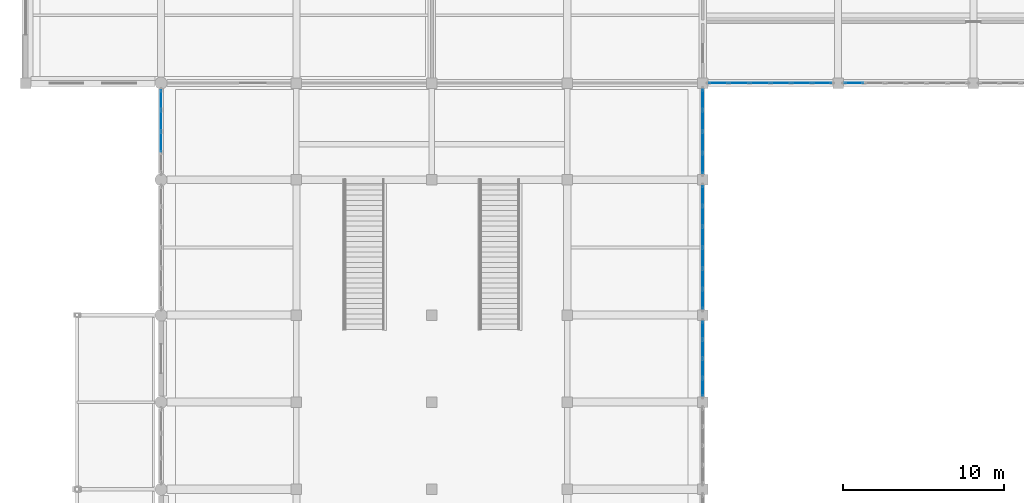
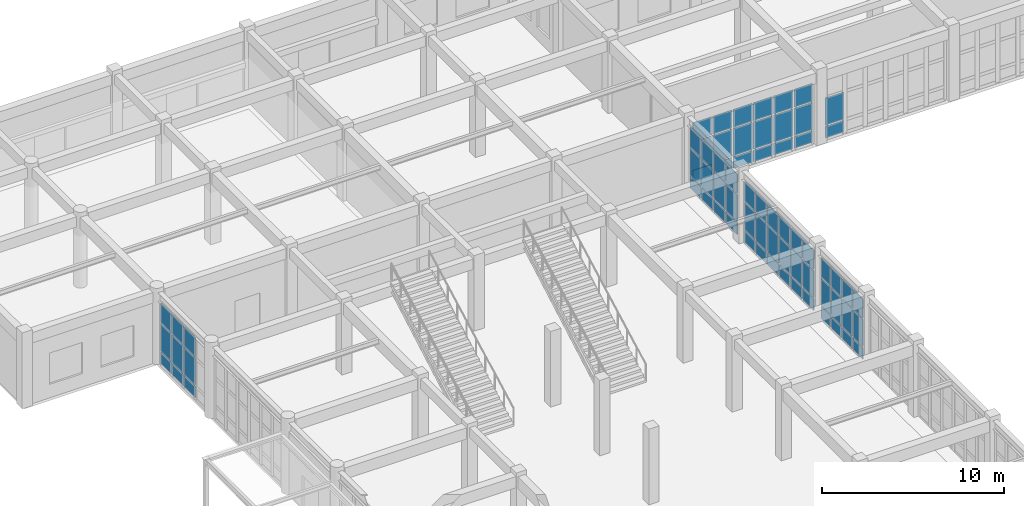
# One storey, part 46 of 80: 71 plates, 6 elements without a shape of their own.
"""IFC4 building model written with IfcOpenShell, lengths in metres."""

import ifcopenshell
import ifcopenshell.guid

model = None  # the IFC model being written
_history = None  # IfcOwnerHistory: only IFC2X3 demands one
_inside = {}  # id of a spatial element -> (the spatial element, [elements in it])
_under = {}  # id of a project, library or spatial element -> (it, [spatial elements below it])
_declared = {}  # id of a project -> (the project, [libraries it declares])
_typed = {}  # id of a type object -> (the type object, [elements of that type])
_made_of = {}  # id of a material, layer set ... -> (it, [elements and type objects made of it])


def new_model(schema):
    """Start an empty IFC model of exactly this schema.

    Asked for "IFC4X3", IfcOpenShell would pick the latest addendum, in which some entities
    have other attributes; the version numbers below select the first issue.
    IFC2X3 requires an IfcOwnerHistory on every rooted entity: one is made here for all.
    """
    global model, _history
    if schema == "IFC4X3":
        model = ifcopenshell.file(schema_version=(4, 3, 0, 0))
    else:
        model = ifcopenshell.file(schema=schema)
    _inside.clear()
    _under.clear()
    _declared.clear()
    _typed.clear()
    _made_of.clear()
    _history = None
    if model.schema == "IFC2X3":
        org = make("IfcOrganization", Name="unknown")
        user = make(
            "IfcPersonAndOrganization",
            ThePerson=make("IfcPerson", FamilyName="unknown"),
            TheOrganization=org,
        )
        app = make(
            "IfcApplication",
            ApplicationDeveloper=org,
            Version="unknown",
            ApplicationFullName="unknown",
            ApplicationIdentifier="unknown",
        )
        _history = make(
            "IfcOwnerHistory",
            OwningUser=user,
            OwningApplication=app,
            ChangeAction="ADDED",
            CreationDate=0,
        )
    return model


def make(cls, **values):
    """One entity of the class cls with the attributes given. An attribute that is None is left unset."""
    return model.create_entity(
        cls, **{name: value for name, value in values.items() if value is not None}
    )


def rooted(cls, **values):
    """An entity with a GlobalId (a new one), such as an element, a storey or a relation."""
    return make(cls, GlobalId=ifcopenshell.guid.new(), OwnerHistory=_history, **values)


def si_unit(unit_type, name, prefix=None):
    """IfcSIUnit, for example si_unit("LENGTHUNIT", "METRE", prefix="MILLI")."""
    return make("IfcSIUnit", UnitType=unit_type, Prefix=prefix, Name=name)


def assignment(units):
    """IfcUnitAssignment: the units of a project."""
    return None if units is None else make("IfcUnitAssignment", Units=units)


def point(xyz):
    """IfcCartesianPoint."""
    return None if xyz is None else make("IfcCartesianPoint", Coordinates=xyz)


def direction(xyz):
    """IfcDirection."""
    return None if xyz is None else make("IfcDirection", DirectionRatios=xyz)


def frame(location, z_axis=None, x_axis=None):
    """IfcAxis2Placement3D, a coordinate frame: its origin and axes. An axis left out is left unset."""
    return make(
        "IfcAxis2Placement3D",
        Location=point(location),
        Axis=direction(z_axis),
        RefDirection=direction(x_axis),
    )


def frame_2d(location, x_axis=None):
    """IfcAxis2Placement2D, a coordinate frame in the plane: its origin and x axis."""
    return make(
        "IfcAxis2Placement2D", Location=point(location), RefDirection=direction(x_axis)
    )


def origin():
    """The frame at (0, 0, 0) with its axes left unset."""
    return frame((0.0, 0.0, 0.0))


def origin_2d():
    """The frame at (0, 0) in the plane with its x axis left unset."""
    return frame_2d((0.0, 0.0))


def place(relative_to, where):
    """IfcLocalPlacement: puts the frame where relative to a parent placement (None: the world)."""
    return make(
        "IfcLocalPlacement", PlacementRelTo=relative_to, RelativePlacement=where
    )


def context(
    kind, dimensions, precision=None, world=None, true_north=None, identifier=None
):
    """IfcGeometricRepresentationContext, for example the 3D "Model" context."""
    return make(
        "IfcGeometricRepresentationContext",
        ContextIdentifier=identifier,
        ContextType=kind,
        CoordinateSpaceDimension=dimensions,
        Precision=precision,
        WorldCoordinateSystem=world,
        TrueNorth=true_north,
    )


def subcontext(parent, identifier, kind, view, scale=None):
    """IfcGeometricRepresentationSubContext, for example "Body" below "Model"."""
    return make(
        "IfcGeometricRepresentationSubContext",
        ContextIdentifier=identifier,
        ContextType=kind,
        ParentContext=parent,
        TargetScale=scale,
        TargetView=view,
    )


def project(units=None, contexts=None):
    """IfcProject with its units and contexts."""
    return rooted(
        "IfcProject",
        Name="project",
        RepresentationContexts=contexts,
        UnitsInContext=assignment(units),
    )


def spatial(cls, under=None, at=None, **own):
    """A site, building, storey or space (cls), placed at a placement, below another one or the project."""
    s = rooted(cls, ObjectPlacement=at, **own)
    if under is not None:
        _under.setdefault(under.id(), (under, []))[1].append(s)
    return s


def profile(cls, at=None, kind="AREA", **sizes):
    """A parametric profile (cls). Its sizes go by their IFC names, for example OverallWidth=200.0."""
    return make(cls, ProfileType=kind, Position=at, **sizes)


def rectangle(**sizes):
    """IfcRectangleProfileDef."""
    return profile("IfcRectangleProfileDef", **sizes)


def extrude(swept, where, along, depth):
    """IfcExtrudedAreaSolid: the profile swept, set in the frame where, extruded along a direction by depth."""
    return make(
        "IfcExtrudedAreaSolid",
        SweptArea=swept,
        Position=where,
        ExtrudedDirection=direction(along),
        Depth=depth,
    )


def shape(context_of_items, identifier, shape_type, items):
    """IfcShapeRepresentation: the items that make up one representation, for example the "Body"."""
    return make(
        "IfcShapeRepresentation",
        ContextOfItems=context_of_items,
        RepresentationIdentifier=identifier,
        RepresentationType=shape_type,
        Items=items,
    )


def material(Name=None, Category=None):
    """IfcMaterial."""
    return make("IfcMaterial", Name=Name, Category=Category)


def layer(
    of_material, thickness, ventilated=None, Name=None, Category=None, Priority=None
):
    """IfcMaterialLayer: one layer of a wall or slab, of a material (None: an air gap)."""
    return make(
        "IfcMaterialLayer",
        Material=of_material,
        LayerThickness=thickness,
        IsVentilated=ventilated,
        Name=Name,
        Category=Category,
        Priority=Priority,
    )


def layer_set(layers, Name=None):
    """IfcMaterialLayerSet."""
    return make("IfcMaterialLayerSet", MaterialLayers=layers, LayerSetName=Name)


def made_of(thing, what):
    """Note that an element or type object is made of a material, layer set ...; save() writes the relation."""
    if what is not None:
        _made_of.setdefault(what.id(), (what, []))[1].append(thing)
    return thing


def type_object(cls, material=None, **own):
    """A type object (cls), such as IfcWallType, which elements share."""
    return made_of(rooted(cls, **own), material)


def element(
    cls,
    number,
    at=None,
    inside=None,
    cuts=None,
    type_object=None,
    material=None,
    context=None,
    identifier="Body",
    shape_type=None,
    held_by="IfcProductDefinitionShape",
    body=None,
    shapes=None,
    **own,
):
    """One element of the class cls, such as IfcWall. Its Tag is "e" and its number.

    at: its placement. inside: the storey or other place that contains it. cuts: it is an
    opening in that element (IfcRelVoidsElement). A single representation is given by context,
    identifier, shape_type and body (its items); several are given by shapes. held_by: the class
    of the entity that holds the representations. save() writes the other relations.
    """
    e = rooted(cls, Tag="e%d" % number, ObjectPlacement=at, **own)
    if body is not None:
        shapes = [shape(context, identifier, shape_type, body)]
    if shapes is not None:
        e.Representation = make(held_by, Representations=shapes)
    if inside is not None:
        _inside.setdefault(inside.id(), (inside, []))[1].append(e)
    if cuts is not None:
        rooted(
            "IfcRelVoidsElement", RelatingBuildingElement=cuts, RelatedOpeningElement=e
        )
    if type_object is not None:
        _typed.setdefault(type_object.id(), (type_object, []))[1].append(e)
    return made_of(e, material)


def aggregate(whole, parts):
    """IfcRelAggregates: a whole, such as a stair, and the parts it consists of."""
    return rooted("IfcRelAggregates", RelatingObject=whole, RelatedObjects=parts)


def save(model, path):
    """Write the relations noted so far, then the file.

    IfcRelAggregates (storeys below a building ...), IfcRelContainedInSpatialStructure (elements
    in a storey), IfcRelDefinesByType, IfcRelAssociatesMaterial and IfcRelDeclares: one each for
    every whole, place, type object, material and project.
    """
    for whole, parts in _under.values():
        aggregate(whole, parts)
    for where, things in _inside.values():
        rooted(
            "IfcRelContainedInSpatialStructure",
            RelatedElements=things,
            RelatingStructure=where,
        )
    for kind, things in _typed.values():
        rooted("IfcRelDefinesByType", RelatedObjects=things, RelatingType=kind)
    for what, things in _made_of.values():
        rooted("IfcRelAssociatesMaterial", RelatedObjects=things, RelatingMaterial=what)
    for by, libraries in _declared.values():
        rooted("IfcRelDeclares", RelatingContext=by, RelatedDefinitions=libraries)
    model.write(path)


model = new_model("IFC4")

# Units and contexts
model_context = context("Model", 3, precision=1e-05, world=origin(), true_north=direction((0.0, 1.0)))
body_context = subcontext(model_context, "Body", "Model", "MODEL_VIEW")
ifc_project = project(units=[si_unit("LENGTHUNIT", "METRE"), si_unit("AREAUNIT", "SQUARE_METRE"), si_unit("VOLUMEUNIT", "CUBIC_METRE"), si_unit("PLANEANGLEUNIT", "RADIAN"), si_unit("MASSUNIT", "GRAM", prefix="KILO")], contexts=[model_context])

# Site, building, storey
site_placement = place(None, origin())
site = spatial("IfcSite", under=ifc_project, at=site_placement, CompositionType="ELEMENT")
building_placement = place(site_placement, origin())
building = spatial("IfcBuilding", under=site, at=building_placement, Name="Krzemoval Escarpment Law Courts", CompositionType="ELEMENT")
storey_placement = place(building_placement, origin())
storey = spatial("IfcBuildingStorey", under=building, at=storey_placement, Name="L00", CompositionType="ELEMENT", Elevation=0.0)

# Curtain wall, plates
ifc_material_1 = material(Name="Aluminium 6063-T6", Category="aluminium")
ifc_layer_1 = layer(ifc_material_1, 0.280029296875)
ifc_layer_set_1 = layer_set([ifc_layer_1], Name="Aluminium 6063-T6")
curtain_wall_type = type_object("IfcCurtainWallType", Name="CW-HALL-5100", PredefinedType="USERDEFINED", material=ifc_layer_set_1)
curtain_wall_1_placement = place(storey_placement, origin())
curtain_wall_1 = element("IfcCurtainWall", 1, at=curtain_wall_1_placement, inside=storey, type_object=curtain_wall_type, Name="Unitised Curtain Wall FCW-L00-005", ObjectType="UNITISED_CURTAIN_WALL", PredefinedType="USERDEFINED")
ifc_material_2 = material(Name="Triple Glazing IGU", Category="glass")
ifc_layer_2 = layer(ifc_material_2, 0.053955078125)
ifc_layer_set_2 = layer_set([ifc_layer_2], Name="Triple Glazing IGU")
plate_type = type_object("IfcPlateType", Name="CWP-GLZ-54", PredefinedType="CURTAIN_PANEL", material=ifc_layer_set_2)
plate_1_placement = place(storey_placement, frame((8.39990234375, 95.94384765625, 0.0849609375), z_axis=(0.0, 0.0, 1.0), x_axis=(0.0, 1.0, 0.0)))
plate_1 = element("IfcPlate", 2, at=plate_1_placement, type_object=plate_type, Name="FCW-L00-005 panel 2.1", PredefinedType="CURTAIN_PANEL", context=body_context, shape_type="SweptSolid", body=[
    extrude(rectangle(XDim=1.2275390625, YDim=0.053955078125, at=origin_2d()), origin(), (0.0, 0.0, 1.0), 0.7724609375),
])
plate_2_placement = place(storey_placement, frame((8.39990234375, 95.94384765625, 0.942626953125), z_axis=(0.0, 0.0, 1.0), x_axis=(0.0, 1.0, 0.0)))
plate_2 = element("IfcPlate", 3, at=plate_2_placement, type_object=plate_type, Name="FCW-L00-005 panel 2.2", PredefinedType="CURTAIN_PANEL", context=body_context, shape_type="SweptSolid", body=[
    extrude(rectangle(XDim=1.2275390625, YDim=0.053955078125, at=origin_2d()), origin(), (0.0, 0.0, 1.0), 1.81494140625),
])
plate_3_placement = place(storey_placement, frame((8.39990234375, 95.94384765625, 2.842529296875), z_axis=(0.0, 0.0, 1.0), x_axis=(0.0, 1.0, 0.0)))
plate_3 = element("IfcPlate", 4, at=plate_3_placement, type_object=plate_type, Name="FCW-L00-005 panel 2.3", PredefinedType="CURTAIN_PANEL", context=body_context, shape_type="SweptSolid", body=[
    extrude(rectangle(XDim=1.2275390625, YDim=0.053955078125, at=origin_2d()), origin(), (0.0, 0.0, 1.0), 1.29248046875),
])
plate_4_placement = place(storey_placement, frame((8.39990234375, 97.25634765625, 0.0849609375), z_axis=(0.0, 0.0, 1.0), x_axis=(0.0, 1.0, 0.0)))
plate_4 = element("IfcPlate", 5, at=plate_4_placement, type_object=plate_type, Name="FCW-L00-005 panel 3.1", PredefinedType="CURTAIN_PANEL", context=body_context, shape_type="SweptSolid", body=[
    extrude(rectangle(XDim=1.2275390625, YDim=0.053955078125, at=origin_2d()), origin(), (0.0, 0.0, 1.0), 0.7724609375),
])
plate_5_placement = place(storey_placement, frame((8.39990234375, 97.25634765625, 0.942626953125), z_axis=(0.0, 0.0, 1.0), x_axis=(0.0, 1.0, 0.0)))
plate_5 = element("IfcPlate", 6, at=plate_5_placement, type_object=plate_type, Name="FCW-L00-005 panel 3.2", PredefinedType="CURTAIN_PANEL", context=body_context, shape_type="SweptSolid", body=[
    extrude(rectangle(XDim=1.2275390625, YDim=0.053955078125, at=origin_2d()), origin(), (0.0, 0.0, 1.0), 1.81494140625),
])
plate_6_placement = place(storey_placement, frame((8.39990234375, 97.25634765625, 2.842529296875), z_axis=(0.0, 0.0, 1.0), x_axis=(0.0, 1.0, 0.0)))
plate_6 = element("IfcPlate", 7, at=plate_6_placement, type_object=plate_type, Name="FCW-L00-005 panel 3.3", PredefinedType="CURTAIN_PANEL", context=body_context, shape_type="SweptSolid", body=[
    extrude(rectangle(XDim=1.2275390625, YDim=0.053955078125, at=origin_2d()), origin(), (0.0, 0.0, 1.0), 1.29248046875),
])
plate_7_placement = place(storey_placement, frame((8.39990234375, 98.547607421875, 0.0849609375), z_axis=(0.0, 0.0, 1.0), x_axis=(0.0, 1.0, 0.0)))
plate_7 = element("IfcPlate", 8, at=plate_7_placement, type_object=plate_type, Name="FCW-L00-005 panel 4.1", PredefinedType="CURTAIN_PANEL", context=body_context, shape_type="SweptSolid", body=[
    extrude(rectangle(XDim=1.18505859375, YDim=0.053955078125, at=origin_2d()), origin(), (0.0, 0.0, 1.0), 0.7724609375),
])
plate_8_placement = place(storey_placement, frame((8.39990234375, 98.547607421875, 0.942626953125), z_axis=(0.0, 0.0, 1.0), x_axis=(0.0, 1.0, 0.0)))
plate_8 = element("IfcPlate", 9, at=plate_8_placement, type_object=plate_type, Name="FCW-L00-005 panel 4.2", PredefinedType="CURTAIN_PANEL", context=body_context, shape_type="SweptSolid", body=[
    extrude(rectangle(XDim=1.18505859375, YDim=0.053955078125, at=origin_2d()), origin(), (0.0, 0.0, 1.0), 1.81494140625),
])
plate_9_placement = place(storey_placement, frame((8.39990234375, 98.547607421875, 2.842529296875), z_axis=(0.0, 0.0, 1.0), x_axis=(0.0, 1.0, 0.0)))
plate_9 = element("IfcPlate", 10, at=plate_9_placement, type_object=plate_type, Name="FCW-L00-005 panel 4.3", PredefinedType="CURTAIN_PANEL", context=body_context, shape_type="SweptSolid", body=[
    extrude(rectangle(XDim=1.18505859375, YDim=0.053955078125, at=origin_2d()), origin(), (0.0, 0.0, 1.0), 1.29248046875),
])
aggregate(curtain_wall_1, [plate_1, plate_2, plate_3, plate_4, plate_5, plate_6, plate_7, plate_8, plate_9])

curtain_wall_2_placement = place(storey_placement, origin())
curtain_wall_2 = element("IfcCurtainWall", 11, at=curtain_wall_2_placement, inside=storey, type_object=curtain_wall_type, Name="Unitised Curtain Wall FCW-L00-013", ObjectType="UNITISED_CURTAIN_WALL", PredefinedType="USERDEFINED")
plate_10_placement = place(storey_placement, frame((51.39208984375, 99.60009765625, 0.0849609375), z_axis=(0.0, 0.0, 1.0), x_axis=(-1.0, 0.0, 0.0)))
plate_10 = element("IfcPlate", 12, at=plate_10_placement, type_object=plate_type, Name="FCW-L00-013 panel 6.1", PredefinedType="CURTAIN_PANEL", context=body_context, shape_type="SweptSolid", body=[
    extrude(rectangle(XDim=1.1640625, YDim=0.053955078125, at=origin_2d()), origin(), (0.0, 0.0, 1.0), 0.7724609375),
])
plate_11_placement = place(storey_placement, frame((51.39208984375, 99.60009765625, 0.942626953125), z_axis=(0.0, 0.0, 1.0), x_axis=(-1.0, 0.0, 0.0)))
plate_11 = element("IfcPlate", 13, at=plate_11_placement, type_object=plate_type, Name="FCW-L00-013 panel 6.2", PredefinedType="CURTAIN_PANEL", context=body_context, shape_type="SweptSolid", body=[
    extrude(rectangle(XDim=1.1640625, YDim=0.053955078125, at=origin_2d()), origin(), (0.0, 0.0, 1.0), 1.81494140625),
])
aggregate(curtain_wall_2, [plate_10, plate_11])

curtain_wall_3_placement = place(storey_placement, origin())
curtain_wall_3 = element("IfcCurtainWall", 14, at=curtain_wall_3_placement, inside=storey, type_object=curtain_wall_type, Name="Unitised Curtain Wall FCW-L00-014", ObjectType="UNITISED_CURTAIN_WALL", PredefinedType="USERDEFINED")
plate_12_placement = place(storey_placement, frame((49.407958984375, 99.60009765625, 0.0849609375), z_axis=(0.0, 0.0, 1.0), x_axis=(-1.0, 0.0, 0.0)))
plate_12 = element("IfcPlate", 15, at=plate_12_placement, type_object=plate_type, Name="FCW-L00-014 panel 1.1", PredefinedType="CURTAIN_PANEL", context=body_context, shape_type="SweptSolid", body=[
    extrude(rectangle(XDim=1.1640625, YDim=0.053955078125, at=origin_2d()), origin(), (0.0, 0.0, 1.0), 0.7724609375),
])
plate_13_placement = place(storey_placement, frame((49.407958984375, 99.60009765625, 0.942626953125), z_axis=(0.0, 0.0, 1.0), x_axis=(-1.0, 0.0, 0.0)))
plate_13 = element("IfcPlate", 16, at=plate_13_placement, type_object=plate_type, Name="FCW-L00-014 panel 1.2", PredefinedType="CURTAIN_PANEL", context=body_context, shape_type="SweptSolid", body=[
    extrude(rectangle(XDim=1.1640625, YDim=0.053955078125, at=origin_2d()), origin(), (0.0, 0.0, 1.0), 1.81494140625),
])
plate_14_placement = place(storey_placement, frame((49.407958984375, 99.60009765625, 2.842529296875), z_axis=(0.0, 0.0, 1.0), x_axis=(-1.0, 0.0, 0.0)))
plate_14 = element("IfcPlate", 17, at=plate_14_placement, type_object=plate_type, Name="FCW-L00-014 panel 1.3", PredefinedType="CURTAIN_PANEL", context=body_context, shape_type="SweptSolid", body=[
    extrude(rectangle(XDim=1.1640625, YDim=0.053955078125, at=origin_2d()), origin(), (0.0, 0.0, 1.0), 1.1923828125),
])
plate_15_placement = place(storey_placement, frame((48.137451171875, 99.60009765625, 0.0849609375), z_axis=(0.0, 0.0, 1.0), x_axis=(-1.0, 0.0, 0.0)))
plate_15 = element("IfcPlate", 18, at=plate_15_placement, type_object=plate_type, Name="FCW-L00-014 panel 2.1", PredefinedType="CURTAIN_PANEL", context=body_context, shape_type="SweptSolid", body=[
    extrude(rectangle(XDim=1.206787109375, YDim=0.053955078125, at=origin_2d()), origin(), (0.0, 0.0, 1.0), 0.7724609375),
])
plate_16_placement = place(storey_placement, frame((48.137451171875, 99.60009765625, 0.942626953125), z_axis=(0.0, 0.0, 1.0), x_axis=(-1.0, 0.0, 0.0)))
plate_16 = element("IfcPlate", 19, at=plate_16_placement, type_object=plate_type, Name="FCW-L00-014 panel 2.2", PredefinedType="CURTAIN_PANEL", context=body_context, shape_type="SweptSolid", body=[
    extrude(rectangle(XDim=1.206787109375, YDim=0.053955078125, at=origin_2d()), origin(), (0.0, 0.0, 1.0), 1.81494140625),
])
plate_17_placement = place(storey_placement, frame((48.137451171875, 99.60009765625, 2.842529296875), z_axis=(0.0, 0.0, 1.0), x_axis=(-1.0, 0.0, 0.0)))
plate_17 = element("IfcPlate", 20, at=plate_17_placement, type_object=plate_type, Name="FCW-L00-014 panel 2.3", PredefinedType="CURTAIN_PANEL", context=body_context, shape_type="SweptSolid", body=[
    extrude(rectangle(XDim=1.206787109375, YDim=0.053955078125, at=origin_2d()), origin(), (0.0, 0.0, 1.0), 1.1923828125),
])
plate_18_placement = place(storey_placement, frame((46.845947265625, 99.60009765625, 0.0849609375), z_axis=(0.0, 0.0, 1.0), x_axis=(-1.0, 0.0, 0.0)))
plate_18 = element("IfcPlate", 21, at=plate_18_placement, type_object=plate_type, Name="FCW-L00-014 panel 3.1", PredefinedType="CURTAIN_PANEL", context=body_context, shape_type="SweptSolid", body=[
    extrude(rectangle(XDim=1.206787109375, YDim=0.053955078125, at=origin_2d()), origin(), (0.0, 0.0, 1.0), 0.7724609375),
])
plate_19_placement = place(storey_placement, frame((46.845947265625, 99.60009765625, 0.942626953125), z_axis=(0.0, 0.0, 1.0), x_axis=(-1.0, 0.0, 0.0)))
plate_19 = element("IfcPlate", 22, at=plate_19_placement, type_object=plate_type, Name="FCW-L00-014 panel 3.2", PredefinedType="CURTAIN_PANEL", context=body_context, shape_type="SweptSolid", body=[
    extrude(rectangle(XDim=1.206787109375, YDim=0.053955078125, at=origin_2d()), origin(), (0.0, 0.0, 1.0), 1.81494140625),
])
plate_20_placement = place(storey_placement, frame((46.845947265625, 99.60009765625, 2.842529296875), z_axis=(0.0, 0.0, 1.0), x_axis=(-1.0, 0.0, 0.0)))
plate_20 = element("IfcPlate", 23, at=plate_20_placement, type_object=plate_type, Name="FCW-L00-014 panel 3.3", PredefinedType="CURTAIN_PANEL", context=body_context, shape_type="SweptSolid", body=[
    extrude(rectangle(XDim=1.206787109375, YDim=0.053955078125, at=origin_2d()), origin(), (0.0, 0.0, 1.0), 1.1923828125),
])
plate_21_placement = place(storey_placement, frame((45.55419921875, 99.60009765625, 0.0849609375), z_axis=(0.0, 0.0, 1.0), x_axis=(-1.0, 0.0, 0.0)))
plate_21 = element("IfcPlate", 24, at=plate_21_placement, type_object=plate_type, Name="FCW-L00-014 panel 4.1", PredefinedType="CURTAIN_PANEL", context=body_context, shape_type="SweptSolid", body=[
    extrude(rectangle(XDim=1.206787109375, YDim=0.053955078125, at=origin_2d()), origin(), (0.0, 0.0, 1.0), 0.7724609375),
])
plate_22_placement = place(storey_placement, frame((45.55419921875, 99.60009765625, 0.942626953125), z_axis=(0.0, 0.0, 1.0), x_axis=(-1.0, 0.0, 0.0)))
plate_22 = element("IfcPlate", 25, at=plate_22_placement, type_object=plate_type, Name="FCW-L00-014 panel 4.2", PredefinedType="CURTAIN_PANEL", context=body_context, shape_type="SweptSolid", body=[
    extrude(rectangle(XDim=1.206787109375, YDim=0.053955078125, at=origin_2d()), origin(), (0.0, 0.0, 1.0), 1.81494140625),
])
plate_23_placement = place(storey_placement, frame((45.55419921875, 99.60009765625, 2.842529296875), z_axis=(0.0, 0.0, 1.0), x_axis=(-1.0, 0.0, 0.0)))
plate_23 = element("IfcPlate", 26, at=plate_23_placement, type_object=plate_type, Name="FCW-L00-014 panel 4.3", PredefinedType="CURTAIN_PANEL", context=body_context, shape_type="SweptSolid", body=[
    extrude(rectangle(XDim=1.206787109375, YDim=0.053955078125, at=origin_2d()), origin(), (0.0, 0.0, 1.0), 1.1923828125),
])
plate_24_placement = place(storey_placement, frame((44.262451171875, 99.60009765625, 0.0849609375), z_axis=(0.0, 0.0, 1.0), x_axis=(-1.0, 0.0, 0.0)))
plate_24 = element("IfcPlate", 27, at=plate_24_placement, type_object=plate_type, Name="FCW-L00-014 panel 5.1", PredefinedType="CURTAIN_PANEL", context=body_context, shape_type="SweptSolid", body=[
    extrude(rectangle(XDim=1.206787109375, YDim=0.053955078125, at=origin_2d()), origin(), (0.0, 0.0, 1.0), 0.7724609375),
])
plate_25_placement = place(storey_placement, frame((44.262451171875, 99.60009765625, 0.942626953125), z_axis=(0.0, 0.0, 1.0), x_axis=(-1.0, 0.0, 0.0)))
plate_25 = element("IfcPlate", 28, at=plate_25_placement, type_object=plate_type, Name="FCW-L00-014 panel 5.2", PredefinedType="CURTAIN_PANEL", context=body_context, shape_type="SweptSolid", body=[
    extrude(rectangle(XDim=1.206787109375, YDim=0.053955078125, at=origin_2d()), origin(), (0.0, 0.0, 1.0), 1.81494140625),
])
plate_26_placement = place(storey_placement, frame((44.262451171875, 99.60009765625, 2.842529296875), z_axis=(0.0, 0.0, 1.0), x_axis=(-1.0, 0.0, 0.0)))
plate_26 = element("IfcPlate", 29, at=plate_26_placement, type_object=plate_type, Name="FCW-L00-014 panel 5.3", PredefinedType="CURTAIN_PANEL", context=body_context, shape_type="SweptSolid", body=[
    extrude(rectangle(XDim=1.206787109375, YDim=0.053955078125, at=origin_2d()), origin(), (0.0, 0.0, 1.0), 1.1923828125),
])
plate_27_placement = place(storey_placement, frame((42.9921875, 99.60009765625, 0.0849609375), z_axis=(0.0, 0.0, 1.0), x_axis=(-1.0, 0.0, 0.0)))
plate_27 = element("IfcPlate", 30, at=plate_27_placement, type_object=plate_type, Name="FCW-L00-014 panel 6.1", PredefinedType="CURTAIN_PANEL", context=body_context, shape_type="SweptSolid", body=[
    extrude(rectangle(XDim=1.1640625, YDim=0.053955078125, at=origin_2d()), origin(), (0.0, 0.0, 1.0), 0.7724609375),
])
plate_28_placement = place(storey_placement, frame((42.9921875, 99.60009765625, 0.942626953125), z_axis=(0.0, 0.0, 1.0), x_axis=(-1.0, 0.0, 0.0)))
plate_28 = element("IfcPlate", 31, at=plate_28_placement, type_object=plate_type, Name="FCW-L00-014 panel 6.2", PredefinedType="CURTAIN_PANEL", context=body_context, shape_type="SweptSolid", body=[
    extrude(rectangle(XDim=1.1640625, YDim=0.053955078125, at=origin_2d()), origin(), (0.0, 0.0, 1.0), 1.81494140625),
])
plate_29_placement = place(storey_placement, frame((42.9921875, 99.60009765625, 2.842529296875), z_axis=(0.0, 0.0, 1.0), x_axis=(-1.0, 0.0, 0.0)))
plate_29 = element("IfcPlate", 32, at=plate_29_placement, type_object=plate_type, Name="FCW-L00-014 panel 6.3", PredefinedType="CURTAIN_PANEL", context=body_context, shape_type="SweptSolid", body=[
    extrude(rectangle(XDim=1.1640625, YDim=0.053955078125, at=origin_2d()), origin(), (0.0, 0.0, 1.0), 1.1923828125),
])
aggregate(curtain_wall_3, [plate_12, plate_13, plate_14, plate_15, plate_16, plate_17, plate_18, plate_19, plate_20, plate_21, plate_22, plate_23, plate_24, plate_25, plate_26, plate_27, plate_28, plate_29])

curtain_wall_4_placement = place(storey_placement, origin())
curtain_wall_4 = element("IfcCurtainWall", 33, at=curtain_wall_4_placement, inside=storey, type_object=curtain_wall_type, Name="Unitised Curtain Wall FCW-L00-015", ObjectType="UNITISED_CURTAIN_WALL", PredefinedType="USERDEFINED")
plate_30_placement = place(storey_placement, frame((42.0, 98.5849609375, 0.0849609375), z_axis=(0.0, 0.0, 1.0), x_axis=(0.0, -1.0, 0.0)))
plate_30 = element("IfcPlate", 34, at=plate_30_placement, type_object=plate_type, Name="FCW-L00-015 panel 1.1", PredefinedType="CURTAIN_PANEL", context=body_context, shape_type="SweptSolid", body=[
    extrude(rectangle(XDim=1.2099609375, YDim=0.053955078125, at=origin_2d()), origin(), (0.0, 0.0, 1.0), 0.7724609375),
])
plate_31_placement = place(storey_placement, frame((42.0, 98.5849609375, 0.942626953125), z_axis=(0.0, 0.0, 1.0), x_axis=(0.0, -1.0, 0.0)))
plate_31 = element("IfcPlate", 35, at=plate_31_placement, type_object=plate_type, Name="FCW-L00-015 panel 1.2", PredefinedType="CURTAIN_PANEL", context=body_context, shape_type="SweptSolid", body=[
    extrude(rectangle(XDim=1.2099609375, YDim=0.053955078125, at=origin_2d()), origin(), (0.0, 0.0, 1.0), 1.81494140625),
])
plate_32_placement = place(storey_placement, frame((42.0, 98.5849609375, 2.842529296875), z_axis=(0.0, 0.0, 1.0), x_axis=(0.0, -1.0, 0.0)))
plate_32 = element("IfcPlate", 36, at=plate_32_placement, type_object=plate_type, Name="FCW-L00-015 panel 1.3", PredefinedType="CURTAIN_PANEL", context=body_context, shape_type="SweptSolid", body=[
    extrude(rectangle(XDim=1.2099609375, YDim=0.053955078125, at=origin_2d()), origin(), (0.0, 0.0, 1.0), 1.29248046875),
])
plate_33_placement = place(storey_placement, frame((42.0, 97.268798828125, 0.0849609375), z_axis=(0.0, 0.0, 1.0), x_axis=(0.0, -1.0, 0.0)))
plate_33 = element("IfcPlate", 37, at=plate_33_placement, type_object=plate_type, Name="FCW-L00-015 panel 2.1", PredefinedType="CURTAIN_PANEL", context=body_context, shape_type="SweptSolid", body=[
    extrude(rectangle(XDim=1.25244140625, YDim=0.053955078125, at=origin_2d()), origin(), (0.0, 0.0, 1.0), 0.7724609375),
])
plate_34_placement = place(storey_placement, frame((42.0, 97.268798828125, 0.942626953125), z_axis=(0.0, 0.0, 1.0), x_axis=(0.0, -1.0, 0.0)))
plate_34 = element("IfcPlate", 38, at=plate_34_placement, type_object=plate_type, Name="FCW-L00-015 panel 2.2", PredefinedType="CURTAIN_PANEL", context=body_context, shape_type="SweptSolid", body=[
    extrude(rectangle(XDim=1.25244140625, YDim=0.053955078125, at=origin_2d()), origin(), (0.0, 0.0, 1.0), 1.81494140625),
])
plate_35_placement = place(storey_placement, frame((42.0, 97.268798828125, 2.842529296875), z_axis=(0.0, 0.0, 1.0), x_axis=(0.0, -1.0, 0.0)))
plate_35 = element("IfcPlate", 39, at=plate_35_placement, type_object=plate_type, Name="FCW-L00-015 panel 2.3", PredefinedType="CURTAIN_PANEL", context=body_context, shape_type="SweptSolid", body=[
    extrude(rectangle(XDim=1.25244140625, YDim=0.053955078125, at=origin_2d()), origin(), (0.0, 0.0, 1.0), 1.29248046875),
])
plate_36_placement = place(storey_placement, frame((42.0, 95.93115234375, 0.0849609375), z_axis=(0.0, 0.0, 1.0), x_axis=(0.0, -1.0, 0.0)))
plate_36 = element("IfcPlate", 40, at=plate_36_placement, type_object=plate_type, Name="FCW-L00-015 panel 3.1", PredefinedType="CURTAIN_PANEL", context=body_context, shape_type="SweptSolid", body=[
    extrude(rectangle(XDim=1.25244140625, YDim=0.053955078125, at=origin_2d()), origin(), (0.0, 0.0, 1.0), 0.7724609375),
])
plate_37_placement = place(storey_placement, frame((42.0, 95.93115234375, 0.942626953125), z_axis=(0.0, 0.0, 1.0), x_axis=(0.0, -1.0, 0.0)))
plate_37 = element("IfcPlate", 41, at=plate_37_placement, type_object=plate_type, Name="FCW-L00-015 panel 3.2", PredefinedType="CURTAIN_PANEL", context=body_context, shape_type="SweptSolid", body=[
    extrude(rectangle(XDim=1.25244140625, YDim=0.053955078125, at=origin_2d()), origin(), (0.0, 0.0, 1.0), 1.81494140625),
])
plate_38_placement = place(storey_placement, frame((42.0, 95.93115234375, 2.842529296875), z_axis=(0.0, 0.0, 1.0), x_axis=(0.0, -1.0, 0.0)))
plate_38 = element("IfcPlate", 42, at=plate_38_placement, type_object=plate_type, Name="FCW-L00-015 panel 3.3", PredefinedType="CURTAIN_PANEL", context=body_context, shape_type="SweptSolid", body=[
    extrude(rectangle(XDim=1.25244140625, YDim=0.053955078125, at=origin_2d()), origin(), (0.0, 0.0, 1.0), 1.29248046875),
])
plate_39_placement = place(storey_placement, frame((42.0, 94.614990234375, 0.0849609375), z_axis=(0.0, 0.0, 1.0), x_axis=(0.0, -1.0, 0.0)))
plate_39 = element("IfcPlate", 43, at=plate_39_placement, type_object=plate_type, Name="FCW-L00-015 panel 4.1", PredefinedType="CURTAIN_PANEL", context=body_context, shape_type="SweptSolid", body=[
    extrude(rectangle(XDim=1.2099609375, YDim=0.053955078125, at=origin_2d()), origin(), (0.0, 0.0, 1.0), 0.7724609375),
])
plate_40_placement = place(storey_placement, frame((42.0, 94.614990234375, 0.942626953125), z_axis=(0.0, 0.0, 1.0), x_axis=(0.0, -1.0, 0.0)))
plate_40 = element("IfcPlate", 44, at=plate_40_placement, type_object=plate_type, Name="FCW-L00-015 panel 4.2", PredefinedType="CURTAIN_PANEL", context=body_context, shape_type="SweptSolid", body=[
    extrude(rectangle(XDim=1.2099609375, YDim=0.053955078125, at=origin_2d()), origin(), (0.0, 0.0, 1.0), 1.81494140625),
])
plate_41_placement = place(storey_placement, frame((42.0, 94.614990234375, 2.842529296875), z_axis=(0.0, 0.0, 1.0), x_axis=(0.0, -1.0, 0.0)))
plate_41 = element("IfcPlate", 45, at=plate_41_placement, type_object=plate_type, Name="FCW-L00-015 panel 4.3", PredefinedType="CURTAIN_PANEL", context=body_context, shape_type="SweptSolid", body=[
    extrude(rectangle(XDim=1.2099609375, YDim=0.053955078125, at=origin_2d()), origin(), (0.0, 0.0, 1.0), 1.29248046875),
])
aggregate(curtain_wall_4, [plate_30, plate_31, plate_32, plate_33, plate_34, plate_35, plate_36, plate_37, plate_38, plate_39, plate_40, plate_41])

curtain_wall_5_placement = place(storey_placement, origin())
curtain_wall_5 = element("IfcCurtainWall", 46, at=curtain_wall_5_placement, inside=storey, type_object=curtain_wall_type, Name="Unitised Curtain Wall FCW-L00-016", ObjectType="UNITISED_CURTAIN_WALL", PredefinedType="USERDEFINED")
plate_42_placement = place(storey_placement, frame((42.0, 92.60791015625, 0.0849609375), z_axis=(0.0, 0.0, 1.0), x_axis=(0.0, -1.0, 0.0)))
plate_42 = element("IfcPlate", 47, at=plate_42_placement, type_object=plate_type, Name="FCW-L00-016 panel 1.1", PredefinedType="CURTAIN_PANEL", context=body_context, shape_type="SweptSolid", body=[
    extrude(rectangle(XDim=1.1640625, YDim=0.053955078125, at=origin_2d()), origin(), (0.0, 0.0, 1.0), 0.7724609375),
])
plate_43_placement = place(storey_placement, frame((42.0, 92.60791015625, 0.942626953125), z_axis=(0.0, 0.0, 1.0), x_axis=(0.0, -1.0, 0.0)))
plate_43 = element("IfcPlate", 48, at=plate_43_placement, type_object=plate_type, Name="FCW-L00-016 panel 1.2", PredefinedType="CURTAIN_PANEL", context=body_context, shape_type="SweptSolid", body=[
    extrude(rectangle(XDim=1.1640625, YDim=0.053955078125, at=origin_2d()), origin(), (0.0, 0.0, 1.0), 1.81494140625),
])
plate_44_placement = place(storey_placement, frame((42.0, 92.60791015625, 2.842529296875), z_axis=(0.0, 0.0, 1.0), x_axis=(0.0, -1.0, 0.0)))
plate_44 = element("IfcPlate", 49, at=plate_44_placement, type_object=plate_type, Name="FCW-L00-016 panel 1.3", PredefinedType="CURTAIN_PANEL", context=body_context, shape_type="SweptSolid", body=[
    extrude(rectangle(XDim=1.1640625, YDim=0.053955078125, at=origin_2d()), origin(), (0.0, 0.0, 1.0), 1.29248046875),
])
plate_45_placement = place(storey_placement, frame((42.0, 91.33740234375, 0.0849609375), z_axis=(0.0, 0.0, 1.0), x_axis=(0.0, -1.0, 0.0)))
plate_45 = element("IfcPlate", 50, at=plate_45_placement, type_object=plate_type, Name="FCW-L00-016 panel 2.1", PredefinedType="CURTAIN_PANEL", context=body_context, shape_type="SweptSolid", body=[
    extrude(rectangle(XDim=1.206787109375, YDim=0.053955078125, at=origin_2d()), origin(), (0.0, 0.0, 1.0), 0.7724609375),
])
plate_46_placement = place(storey_placement, frame((42.0, 91.33740234375, 0.942626953125), z_axis=(0.0, 0.0, 1.0), x_axis=(0.0, -1.0, 0.0)))
plate_46 = element("IfcPlate", 51, at=plate_46_placement, type_object=plate_type, Name="FCW-L00-016 panel 2.2", PredefinedType="CURTAIN_PANEL", context=body_context, shape_type="SweptSolid", body=[
    extrude(rectangle(XDim=1.206787109375, YDim=0.053955078125, at=origin_2d()), origin(), (0.0, 0.0, 1.0), 1.81494140625),
])
plate_47_placement = place(storey_placement, frame((42.0, 91.33740234375, 2.842529296875), z_axis=(0.0, 0.0, 1.0), x_axis=(0.0, -1.0, 0.0)))
plate_47 = element("IfcPlate", 52, at=plate_47_placement, type_object=plate_type, Name="FCW-L00-016 panel 2.3", PredefinedType="CURTAIN_PANEL", context=body_context, shape_type="SweptSolid", body=[
    extrude(rectangle(XDim=1.206787109375, YDim=0.053955078125, at=origin_2d()), origin(), (0.0, 0.0, 1.0), 1.29248046875),
])
plate_48_placement = place(storey_placement, frame((42.0, 90.0458984375, 0.0849609375), z_axis=(0.0, 0.0, 1.0), x_axis=(0.0, -1.0, 0.0)))
plate_48 = element("IfcPlate", 53, at=plate_48_placement, type_object=plate_type, Name="FCW-L00-016 panel 3.1", PredefinedType="CURTAIN_PANEL", context=body_context, shape_type="SweptSolid", body=[
    extrude(rectangle(XDim=1.206787109375, YDim=0.053955078125, at=origin_2d()), origin(), (0.0, 0.0, 1.0), 0.7724609375),
])
plate_49_placement = place(storey_placement, frame((42.0, 90.0458984375, 0.942626953125), z_axis=(0.0, 0.0, 1.0), x_axis=(0.0, -1.0, 0.0)))
plate_49 = element("IfcPlate", 54, at=plate_49_placement, type_object=plate_type, Name="FCW-L00-016 panel 3.2", PredefinedType="CURTAIN_PANEL", context=body_context, shape_type="SweptSolid", body=[
    extrude(rectangle(XDim=1.206787109375, YDim=0.053955078125, at=origin_2d()), origin(), (0.0, 0.0, 1.0), 1.81494140625),
])
plate_50_placement = place(storey_placement, frame((42.0, 90.0458984375, 2.842529296875), z_axis=(0.0, 0.0, 1.0), x_axis=(0.0, -1.0, 0.0)))
plate_50 = element("IfcPlate", 55, at=plate_50_placement, type_object=plate_type, Name="FCW-L00-016 panel 3.3", PredefinedType="CURTAIN_PANEL", context=body_context, shape_type="SweptSolid", body=[
    extrude(rectangle(XDim=1.206787109375, YDim=0.053955078125, at=origin_2d()), origin(), (0.0, 0.0, 1.0), 1.29248046875),
])
plate_51_placement = place(storey_placement, frame((42.0, 88.754150390625, 0.0849609375), z_axis=(0.0, 0.0, 1.0), x_axis=(0.0, -1.0, 0.0)))
plate_51 = element("IfcPlate", 56, at=plate_51_placement, type_object=plate_type, Name="FCW-L00-016 panel 4.1", PredefinedType="CURTAIN_PANEL", context=body_context, shape_type="SweptSolid", body=[
    extrude(rectangle(XDim=1.206787109375, YDim=0.053955078125, at=origin_2d()), origin(), (0.0, 0.0, 1.0), 0.7724609375),
])
plate_52_placement = place(storey_placement, frame((42.0, 88.754150390625, 0.942626953125), z_axis=(0.0, 0.0, 1.0), x_axis=(0.0, -1.0, 0.0)))
plate_52 = element("IfcPlate", 57, at=plate_52_placement, type_object=plate_type, Name="FCW-L00-016 panel 4.2", PredefinedType="CURTAIN_PANEL", context=body_context, shape_type="SweptSolid", body=[
    extrude(rectangle(XDim=1.206787109375, YDim=0.053955078125, at=origin_2d()), origin(), (0.0, 0.0, 1.0), 1.81494140625),
])
plate_53_placement = place(storey_placement, frame((42.0, 88.754150390625, 2.842529296875), z_axis=(0.0, 0.0, 1.0), x_axis=(0.0, -1.0, 0.0)))
plate_53 = element("IfcPlate", 58, at=plate_53_placement, type_object=plate_type, Name="FCW-L00-016 panel 4.3", PredefinedType="CURTAIN_PANEL", context=body_context, shape_type="SweptSolid", body=[
    extrude(rectangle(XDim=1.206787109375, YDim=0.053955078125, at=origin_2d()), origin(), (0.0, 0.0, 1.0), 1.29248046875),
])
plate_54_placement = place(storey_placement, frame((42.0, 87.46240234375, 0.0849609375), z_axis=(0.0, 0.0, 1.0), x_axis=(0.0, -1.0, 0.0)))
plate_54 = element("IfcPlate", 59, at=plate_54_placement, type_object=plate_type, Name="FCW-L00-016 panel 5.1", PredefinedType="CURTAIN_PANEL", context=body_context, shape_type="SweptSolid", body=[
    extrude(rectangle(XDim=1.206787109375, YDim=0.053955078125, at=origin_2d()), origin(), (0.0, 0.0, 1.0), 0.7724609375),
])
plate_55_placement = place(storey_placement, frame((42.0, 87.46240234375, 0.942626953125), z_axis=(0.0, 0.0, 1.0), x_axis=(0.0, -1.0, 0.0)))
plate_55 = element("IfcPlate", 60, at=plate_55_placement, type_object=plate_type, Name="FCW-L00-016 panel 5.2", PredefinedType="CURTAIN_PANEL", context=body_context, shape_type="SweptSolid", body=[
    extrude(rectangle(XDim=1.206787109375, YDim=0.053955078125, at=origin_2d()), origin(), (0.0, 0.0, 1.0), 1.81494140625),
])
plate_56_placement = place(storey_placement, frame((42.0, 87.46240234375, 2.842529296875), z_axis=(0.0, 0.0, 1.0), x_axis=(0.0, -1.0, 0.0)))
plate_56 = element("IfcPlate", 61, at=plate_56_placement, type_object=plate_type, Name="FCW-L00-016 panel 5.3", PredefinedType="CURTAIN_PANEL", context=body_context, shape_type="SweptSolid", body=[
    extrude(rectangle(XDim=1.206787109375, YDim=0.053955078125, at=origin_2d()), origin(), (0.0, 0.0, 1.0), 1.29248046875),
])
plate_57_placement = place(storey_placement, frame((42.0, 86.192138671875, 0.0849609375), z_axis=(0.0, 0.0, 1.0), x_axis=(0.0, -1.0, 0.0)))
plate_57 = element("IfcPlate", 62, at=plate_57_placement, type_object=plate_type, Name="FCW-L00-016 panel 6.1", PredefinedType="CURTAIN_PANEL", context=body_context, shape_type="SweptSolid", body=[
    extrude(rectangle(XDim=1.1640625, YDim=0.053955078125, at=origin_2d()), origin(), (0.0, 0.0, 1.0), 0.7724609375),
])
plate_58_placement = place(storey_placement, frame((42.0, 86.192138671875, 0.942626953125), z_axis=(0.0, 0.0, 1.0), x_axis=(0.0, -1.0, 0.0)))
plate_58 = element("IfcPlate", 63, at=plate_58_placement, type_object=plate_type, Name="FCW-L00-016 panel 6.2", PredefinedType="CURTAIN_PANEL", context=body_context, shape_type="SweptSolid", body=[
    extrude(rectangle(XDim=1.1640625, YDim=0.053955078125, at=origin_2d()), origin(), (0.0, 0.0, 1.0), 1.81494140625),
])
plate_59_placement = place(storey_placement, frame((42.0, 86.192138671875, 2.842529296875), z_axis=(0.0, 0.0, 1.0), x_axis=(0.0, -1.0, 0.0)))
plate_59 = element("IfcPlate", 64, at=plate_59_placement, type_object=plate_type, Name="FCW-L00-016 panel 6.3", PredefinedType="CURTAIN_PANEL", context=body_context, shape_type="SweptSolid", body=[
    extrude(rectangle(XDim=1.1640625, YDim=0.053955078125, at=origin_2d()), origin(), (0.0, 0.0, 1.0), 1.29248046875),
])
aggregate(curtain_wall_5, [plate_42, plate_43, plate_44, plate_45, plate_46, plate_47, plate_48, plate_49, plate_50, plate_51, plate_52, plate_53, plate_54, plate_55, plate_56, plate_57, plate_58, plate_59])

curtain_wall_6_placement = place(storey_placement, origin())
curtain_wall_6 = element("IfcCurtainWall", 65, at=curtain_wall_6_placement, inside=storey, type_object=curtain_wall_type, Name="Unitised Curtain Wall FCW-L00-017", ObjectType="UNITISED_CURTAIN_WALL", PredefinedType="USERDEFINED")
plate_60_placement = place(storey_placement, frame((42.0, 84.260009765625, 0.0849609375), z_axis=(0.0, 0.0, 1.0), x_axis=(0.0, -1.0, 0.0)))
plate_60 = element("IfcPlate", 66, at=plate_60_placement, type_object=plate_type, Name="FCW-L00-017 panel 1.1", PredefinedType="CURTAIN_PANEL", context=body_context, shape_type="SweptSolid", body=[
    extrude(rectangle(XDim=1.06005859375, YDim=0.053955078125, at=origin_2d()), origin(), (0.0, 0.0, 1.0), 0.7724609375),
])
plate_61_placement = place(storey_placement, frame((42.0, 84.260009765625, 0.942626953125), z_axis=(0.0, 0.0, 1.0), x_axis=(0.0, -1.0, 0.0)))
plate_61 = element("IfcPlate", 67, at=plate_61_placement, type_object=plate_type, Name="FCW-L00-017 panel 1.2", PredefinedType="CURTAIN_PANEL", context=body_context, shape_type="SweptSolid", body=[
    extrude(rectangle(XDim=1.06005859375, YDim=0.053955078125, at=origin_2d()), origin(), (0.0, 0.0, 1.0), 1.81494140625),
])
plate_62_placement = place(storey_placement, frame((42.0, 84.260009765625, 2.842529296875), z_axis=(0.0, 0.0, 1.0), x_axis=(0.0, -1.0, 0.0)))
plate_62 = element("IfcPlate", 68, at=plate_62_placement, type_object=plate_type, Name="FCW-L00-017 panel 1.3", PredefinedType="CURTAIN_PANEL", context=body_context, shape_type="SweptSolid", body=[
    extrude(rectangle(XDim=1.06005859375, YDim=0.053955078125, at=origin_2d()), origin(), (0.0, 0.0, 1.0), 1.29248046875),
])
plate_63_placement = place(storey_placement, frame((42.0, 83.09375, 0.0849609375), z_axis=(0.0, 0.0, 1.0), x_axis=(0.0, -1.0, 0.0)))
plate_63 = element("IfcPlate", 69, at=plate_63_placement, type_object=plate_type, Name="FCW-L00-017 panel 2.1", PredefinedType="CURTAIN_PANEL", context=body_context, shape_type="SweptSolid", body=[
    extrude(rectangle(XDim=1.1025390625, YDim=0.053955078125, at=origin_2d()), origin(), (0.0, 0.0, 1.0), 0.7724609375),
])
plate_64_placement = place(storey_placement, frame((42.0, 83.09375, 0.942626953125), z_axis=(0.0, 0.0, 1.0), x_axis=(0.0, -1.0, 0.0)))
plate_64 = element("IfcPlate", 70, at=plate_64_placement, type_object=plate_type, Name="FCW-L00-017 panel 2.2", PredefinedType="CURTAIN_PANEL", context=body_context, shape_type="SweptSolid", body=[
    extrude(rectangle(XDim=1.1025390625, YDim=0.053955078125, at=origin_2d()), origin(), (0.0, 0.0, 1.0), 1.81494140625),
])
plate_65_placement = place(storey_placement, frame((42.0, 83.09375, 2.842529296875), z_axis=(0.0, 0.0, 1.0), x_axis=(0.0, -1.0, 0.0)))
plate_65 = element("IfcPlate", 71, at=plate_65_placement, type_object=plate_type, Name="FCW-L00-017 panel 2.3", PredefinedType="CURTAIN_PANEL", context=body_context, shape_type="SweptSolid", body=[
    extrude(rectangle(XDim=1.1025390625, YDim=0.053955078125, at=origin_2d()), origin(), (0.0, 0.0, 1.0), 1.29248046875),
])
plate_66_placement = place(storey_placement, frame((42.0, 81.90625, 0.0849609375), z_axis=(0.0, 0.0, 1.0), x_axis=(0.0, -1.0, 0.0)))
plate_66 = element("IfcPlate", 72, at=plate_66_placement, type_object=plate_type, Name="FCW-L00-017 panel 3.1", PredefinedType="CURTAIN_PANEL", context=body_context, shape_type="SweptSolid", body=[
    extrude(rectangle(XDim=1.1025390625, YDim=0.053955078125, at=origin_2d()), origin(), (0.0, 0.0, 1.0), 0.7724609375),
])
plate_67_placement = place(storey_placement, frame((42.0, 81.90625, 0.942626953125), z_axis=(0.0, 0.0, 1.0), x_axis=(0.0, -1.0, 0.0)))
plate_67 = element("IfcPlate", 73, at=plate_67_placement, type_object=plate_type, Name="FCW-L00-017 panel 3.2", PredefinedType="CURTAIN_PANEL", context=body_context, shape_type="SweptSolid", body=[
    extrude(rectangle(XDim=1.1025390625, YDim=0.053955078125, at=origin_2d()), origin(), (0.0, 0.0, 1.0), 1.81494140625),
])
plate_68_placement = place(storey_placement, frame((42.0, 81.90625, 2.842529296875), z_axis=(0.0, 0.0, 1.0), x_axis=(0.0, -1.0, 0.0)))
plate_68 = element("IfcPlate", 74, at=plate_68_placement, type_object=plate_type, Name="FCW-L00-017 panel 3.3", PredefinedType="CURTAIN_PANEL", context=body_context, shape_type="SweptSolid", body=[
    extrude(rectangle(XDim=1.1025390625, YDim=0.053955078125, at=origin_2d()), origin(), (0.0, 0.0, 1.0), 1.29248046875),
])
plate_69_placement = place(storey_placement, frame((42.0, 80.739990234375, 0.0849609375), z_axis=(0.0, 0.0, 1.0), x_axis=(0.0, -1.0, 0.0)))
plate_69 = element("IfcPlate", 75, at=plate_69_placement, type_object=plate_type, Name="FCW-L00-017 panel 4.1", PredefinedType="CURTAIN_PANEL", context=body_context, shape_type="SweptSolid", body=[
    extrude(rectangle(XDim=1.06005859375, YDim=0.053955078125, at=origin_2d()), origin(), (0.0, 0.0, 1.0), 0.7724609375),
])
plate_70_placement = place(storey_placement, frame((42.0, 80.739990234375, 0.942626953125), z_axis=(0.0, 0.0, 1.0), x_axis=(0.0, -1.0, 0.0)))
plate_70 = element("IfcPlate", 76, at=plate_70_placement, type_object=plate_type, Name="FCW-L00-017 panel 4.2", PredefinedType="CURTAIN_PANEL", context=body_context, shape_type="SweptSolid", body=[
    extrude(rectangle(XDim=1.06005859375, YDim=0.053955078125, at=origin_2d()), origin(), (0.0, 0.0, 1.0), 1.81494140625),
])
plate_71_placement = place(storey_placement, frame((42.0, 80.739990234375, 2.842529296875), z_axis=(0.0, 0.0, 1.0), x_axis=(0.0, -1.0, 0.0)))
plate_71 = element("IfcPlate", 77, at=plate_71_placement, type_object=plate_type, Name="FCW-L00-017 panel 4.3", PredefinedType="CURTAIN_PANEL", context=body_context, shape_type="SweptSolid", body=[
    extrude(rectangle(XDim=1.06005859375, YDim=0.053955078125, at=origin_2d()), origin(), (0.0, 0.0, 1.0), 1.29248046875),
])
aggregate(curtain_wall_6, [plate_60, plate_61, plate_62, plate_63, plate_64, plate_65, plate_66, plate_67, plate_68, plate_69, plate_70, plate_71])

save(model, "model.ifc")
